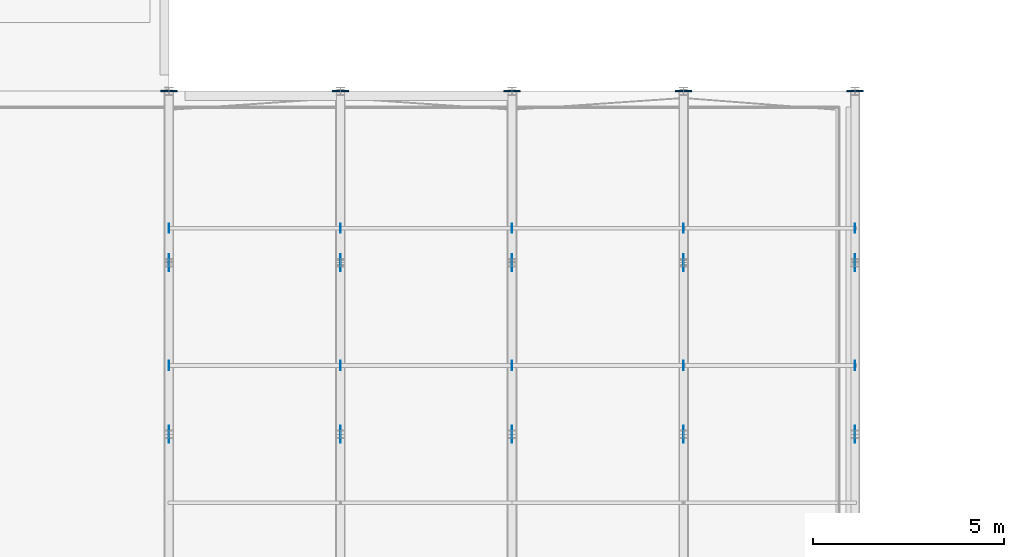
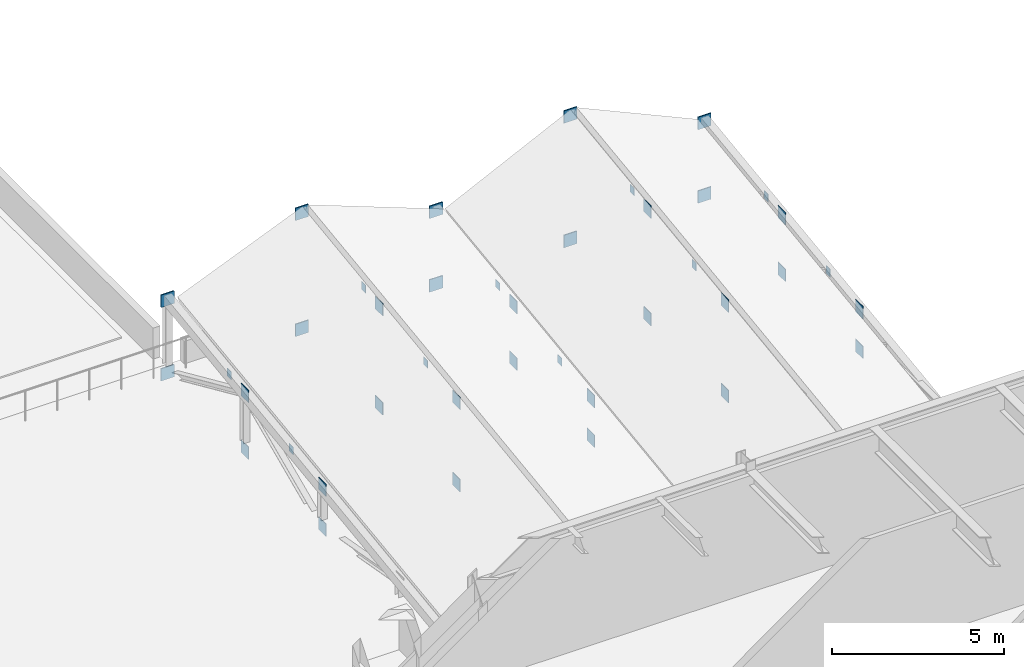
# One storey, part 116 of 142: 40 plates.
"""IFC4 building model written with IfcOpenShell, lengths in metres."""

from ifc_helpers import new_model, si_unit, direction, frame, origin, origin_2d, place, context, subcontext, project, spatial, rectangle, extrude, material, layer, layer_set, type_object, element, save


model = new_model("IFC4")

# Units and contexts
model_context = context("Model", 3, precision=1e-05, world=origin(), true_north=direction((0.0, 1.0)))
body_context = subcontext(model_context, "Body", "Model", "MODEL_VIEW")
ifc_project = project(units=[si_unit("LENGTHUNIT", "METRE"), si_unit("AREAUNIT", "SQUARE_METRE"), si_unit("VOLUMEUNIT", "CUBIC_METRE"), si_unit("PLANEANGLEUNIT", "RADIAN"), si_unit("MASSUNIT", "GRAM", prefix="KILO")], contexts=[model_context])

# Site, building, storey
site_placement = place(None, origin())
site = spatial("IfcSite", under=ifc_project, at=site_placement, CompositionType="ELEMENT")
building_placement = place(site_placement, origin())
building = spatial("IfcBuilding", under=site, at=building_placement, Name="Montelvaro Courts of Justice", CompositionType="ELEMENT")
storey_placement = place(building_placement, frame((0.0, 0.0, 14.39990234375)))
storey = spatial("IfcBuildingStorey", under=building, at=storey_placement, Name="L03", CompositionType="ELEMENT", Elevation=14.39990234375)

# Plates
ifc_material = material(Name="Steel S355", Category="steel")
ifc_layer_1 = layer(ifc_material, 0.011962890625)
ifc_layer_set_1 = layer_set([ifc_layer_1], Name="Steel S355")
plate_type_1 = type_object("IfcPlateType", Name="EndCapPlate_12", PredefinedType="USERDEFINED", material=ifc_layer_set_1)
for number, where, z_axis, x_axis, name in (
    (1, (126.0, 34.800048828125, 1.2099609375), (0.0, 0.0, 1.0), (1.0, 0.0, 0.0), "Purlin End Cap Plate CP-01 01-3L-A"),
    (2, (130.5, 34.800048828125, 2.7099609375), (0.0, 0.0, 1.0), (1.0, 0.0, 0.0), "Purlin End Cap Plate CP-01 01-3L-B"),
    (3, (135.0, 34.800048828125, 1.2099609375), (0.0, 0.0, 1.0), (1.0, 0.0, 0.0), "Purlin End Cap Plate CP-01 01-3R-B"),
    (4, (126.0, 38.39990234375, 1.68994140625), (0.0, 0.0, 1.0), (1.0, 0.0, 0.0), "Purlin End Cap Plate CP-01 01-4L-A"),
    (5, (130.5, 38.39990234375, 3.18994140625), (0.0, 0.0, 1.0), (1.0, 0.0, 0.0), "Purlin End Cap Plate CP-01 01-4L-B"),
    (6, (135.0, 38.39990234375, 1.68994140625), (0.0, 0.0, 1.0), (1.0, 0.0, 0.0), "Purlin End Cap Plate CP-01 01-4R-B"),
    (7, (139.5, 34.800048828125, 3.01025390625), (0.0, 0.0, 1.0), (1.0, 0.0, 0.0), "Purlin End Cap Plate CP-01 02-3L-B"),
    (8, (144.0, 34.800048828125, 1.2099609375), (0.0, 0.0, 1.0), (1.0, 0.0, 0.0), "Purlin End Cap Plate CP-01 02-3R-B"),
    (9, (139.5, 38.39990234375, 3.490234375), (0.0, 0.0, 1.0), (1.0, 0.0, 0.0), "Purlin End Cap Plate CP-01 02-4L-B"),
    (10, (144.0, 38.39990234375, 1.68994140625), (0.0, 0.0, 1.0), (1.0, 0.0, 0.0), "Purlin End Cap Plate CP-01 02-4R-B"),
):
    element("IfcPlate", number, at=place(storey_placement, frame(where, z_axis=z_axis, x_axis=x_axis)), inside=storey, type_object=plate_type_1, Name=name, ObjectType="GUSSET PLATE", PredefinedType="USERDEFINED", context=body_context, shape_type="SweptSolid", body=[
        extrude(rectangle(XDim=0.011962890625, YDim=0.239990234375, at=origin_2d()), origin(), (0.0, 0.0, 1.0), 0.280029296875),
    ])
ifc_layer_2 = layer(ifc_material, 0.035888671875)
ifc_layer_set_2 = layer_set([ifc_layer_2], Name="Steel S355")
plate_type_2 = type_object("IfcPlateType", Name="EndCapPlate_36", PredefinedType="USERDEFINED", material=ifc_layer_set_2)
for number, where, z_axis, x_axis, name in (
    (11, (126.0, 42.0, -0.519775390625), (0.0, 0.0, 1.0), (1.0, 0.0, 0.0), "Roof Truss End Cap Plate CP-02 ROOF-V4E-VTR01-B1"),
    (12, (126.0, 42.0, 2.090087890625), (0.0, 0.0, 1.0), (1.0, 0.0, 0.0), "Roof Truss End Cap Plate CP-02 ROOF-V4E-VTR01-T1"),
    (13, (135.0, 42.0, -0.519775390625), (0.0, 0.0, 1.0), (1.0, 0.0, 0.0), "Roof Truss End Cap Plate CP-02 ROOF-V4E-VTR02-B1"),
    (14, (135.0, 42.0, 2.090087890625), (0.0, 0.0, 1.0), (1.0, 0.0, 0.0), "Roof Truss End Cap Plate CP-02 ROOF-V4E-VTR02-T1"),
    (15, (144.0, 42.0, -0.519775390625), (0.0, 0.0, 1.0), (1.0, 0.0, 0.0), "Roof Truss End Cap Plate CP-02 ROOF-V4E-VTR03-B1"),
    (16, (144.0, 42.0, 2.090087890625), (0.0, 0.0, 1.0), (1.0, 0.0, 0.0), "Roof Truss End Cap Plate CP-02 ROOF-V4E-VTR03-T1"),
    (17, (130.5, 42.0, -0.519775390625), (0.0, 0.0, 1.0), (1.0, 0.0, 0.0), "Roof Truss End Cap Plate CP-02 ROOF-V4E-RTR01-B1"),
    (18, (130.5, 42.0, 3.590087890625), (0.0, 0.0, 1.0), (1.0, 0.0, 0.0), "Roof Truss End Cap Plate CP-02 ROOF-V4E-RTR01-T1"),
    (19, (139.5, 42.0, -0.519775390625), (0.0, 0.0, 1.0), (1.0, 0.0, 0.0), "Roof Truss End Cap Plate CP-02 ROOF-V4E-RTR02-B1"),
    (20, (139.5, 42.0, 3.89013671875), (0.0, 0.0, 1.0), (1.0, 0.0, 0.0), "Roof Truss End Cap Plate CP-02 ROOF-V4E-RTR02-T1"),
):
    element("IfcPlate", number, at=place(storey_placement, frame(where, z_axis=z_axis, x_axis=x_axis)), inside=storey, type_object=plate_type_2, Name=name, ObjectType="GUSSET PLATE", PredefinedType="USERDEFINED", context=body_context, shape_type="SweptSolid", body=[
        extrude(rectangle(XDim=0.43994140625, YDim=0.035888671875, at=origin_2d()), origin(), (0.0, 0.0, 1.0), 0.43994140625),
    ])
ifc_layer_3 = layer(ifc_material, 0.02001953125)
ifc_layer_set_3 = layer_set([ifc_layer_3], Name="Steel S355")
plate_type_3 = type_object("IfcPlateType", Name="GussetPlate_20", PredefinedType="USERDEFINED", material=ifc_layer_set_3)
for number, where, z_axis, x_axis, name in (
    (21, (126.0, 33.0, -0.519775390625), (0.0, 0.0, 1.0), (1.0, 0.0, 0.0), "Roof Truss Gusset Plate GP-01 ROOF-V4E-VTR01-2B"),
    (22, (126.0, 33.0, 0.89013671875), (0.0, 0.0, 1.0), (1.0, 0.0, 0.0), "Roof Truss Gusset Plate GP-01 ROOF-V4E-VTR01-2T"),
    (23, (126.0, 37.5, -0.519775390625), (0.0, 0.0, 1.0), (1.0, 0.0, 0.0), "Roof Truss Gusset Plate GP-01 ROOF-V4E-VTR01-3B"),
    (24, (126.0, 37.5, 1.490234375), (0.0, 0.0, 1.0), (1.0, 0.0, 0.0), "Roof Truss Gusset Plate GP-01 ROOF-V4E-VTR01-3T"),
    (25, (135.0, 33.0, -0.519775390625), (0.0, 0.0, 1.0), (1.0, 0.0, 0.0), "Roof Truss Gusset Plate GP-01 ROOF-V4E-VTR02-2B"),
    (26, (135.0, 33.0, 0.89013671875), (0.0, 0.0, 1.0), (1.0, 0.0, 0.0), "Roof Truss Gusset Plate GP-01 ROOF-V4E-VTR02-2T"),
    (27, (135.0, 37.5, -0.519775390625), (0.0, 0.0, 1.0), (1.0, 0.0, 0.0), "Roof Truss Gusset Plate GP-01 ROOF-V4E-VTR02-3B"),
    (28, (135.0, 37.5, 1.490234375), (0.0, 0.0, 1.0), (1.0, 0.0, 0.0), "Roof Truss Gusset Plate GP-01 ROOF-V4E-VTR02-3T"),
    (29, (144.0, 33.0, -0.519775390625), (0.0, 0.0, 1.0), (1.0, 0.0, 0.0), "Roof Truss Gusset Plate GP-01 ROOF-V4E-VTR03-2B"),
    (30, (144.0, 33.0, 0.89013671875), (0.0, 0.0, 1.0), (1.0, 0.0, 0.0), "Roof Truss Gusset Plate GP-01 ROOF-V4E-VTR03-2T"),
    (31, (144.0, 37.5, -0.519775390625), (0.0, 0.0, 1.0), (1.0, 0.0, 0.0), "Roof Truss Gusset Plate GP-01 ROOF-V4E-VTR03-3B"),
    (32, (144.0, 37.5, 1.490234375), (0.0, 0.0, 1.0), (1.0, 0.0, 0.0), "Roof Truss Gusset Plate GP-01 ROOF-V4E-VTR03-3T"),
    (33, (130.5, 33.0, -0.519775390625), (0.0, 0.0, 1.0), (1.0, 0.0, 0.0), "Roof Truss Gusset Plate GP-01 ROOF-V4E-RTR01-2B"),
    (34, (130.5, 33.0, 2.39013671875), (0.0, 0.0, 1.0), (1.0, 0.0, 0.0), "Roof Truss Gusset Plate GP-01 ROOF-V4E-RTR01-2T"),
    (35, (130.5, 37.5, -0.519775390625), (0.0, 0.0, 1.0), (1.0, 0.0, 0.0), "Roof Truss Gusset Plate GP-01 ROOF-V4E-RTR01-3B"),
    (36, (130.5, 37.5, 2.990234375), (0.0, 0.0, 1.0), (1.0, 0.0, 0.0), "Roof Truss Gusset Plate GP-01 ROOF-V4E-RTR01-3T"),
    (37, (139.5, 33.0, -0.519775390625), (0.0, 0.0, 1.0), (1.0, 0.0, 0.0), "Roof Truss Gusset Plate GP-01 ROOF-V4E-RTR02-2B"),
    (38, (139.5, 33.0, 2.690185546875), (0.0, 0.0, 1.0), (1.0, 0.0, 0.0), "Roof Truss Gusset Plate GP-01 ROOF-V4E-RTR02-2T"),
    (39, (139.5, 37.5, -0.519775390625), (0.0, 0.0, 1.0), (1.0, 0.0, 0.0), "Roof Truss Gusset Plate GP-01 ROOF-V4E-RTR02-3B"),
    (40, (139.5, 37.5, 3.2900390625), (0.0, 0.0, 1.0), (1.0, 0.0, 0.0), "Roof Truss Gusset Plate GP-01 ROOF-V4E-RTR02-3T"),
):
    element("IfcPlate", number, at=place(storey_placement, frame(where, z_axis=z_axis, x_axis=x_axis)), inside=storey, type_object=plate_type_3, Name=name, ObjectType="GUSSET PLATE", PredefinedType="USERDEFINED", context=body_context, shape_type="SweptSolid", body=[
        extrude(rectangle(XDim=0.02001953125, YDim=0.43994140625, at=origin_2d()), origin(), (0.0, 0.0, 1.0), 0.43994140625),
    ])

save(model, "model.ifc")
